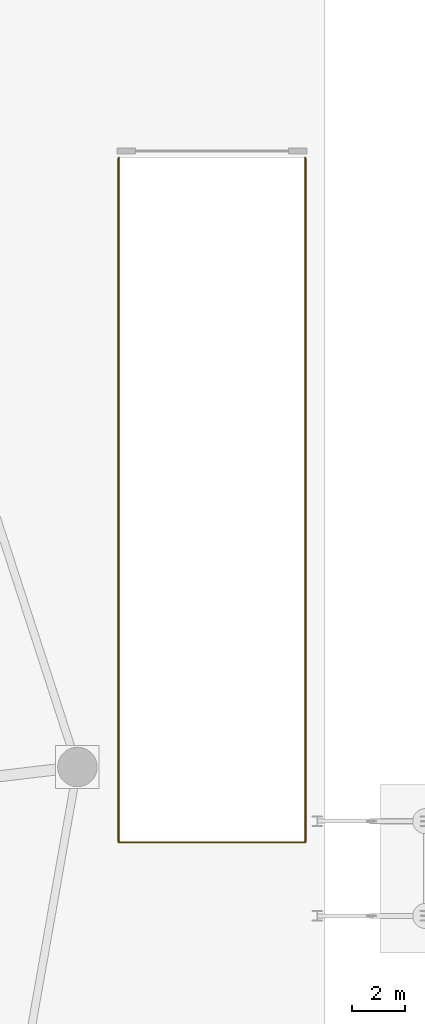
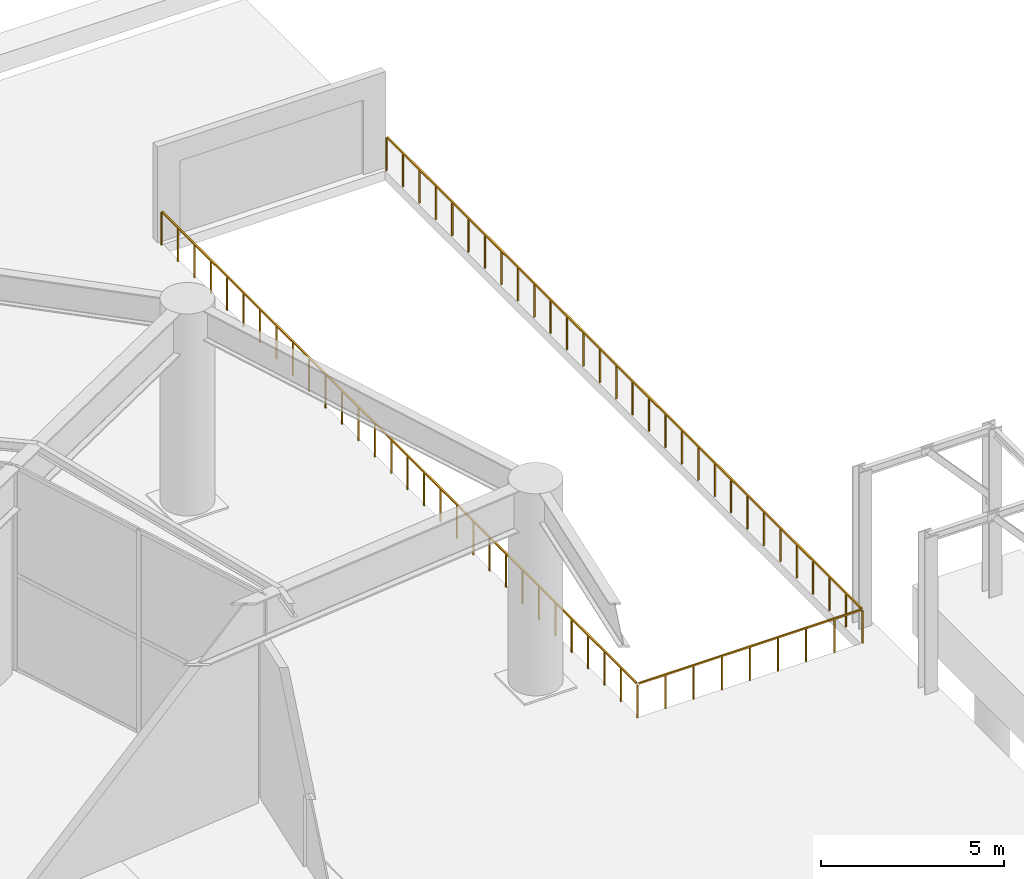
# One storey, part 27 of 28: 3 railings.
"""IFC4 building model written with IfcOpenShell, lengths in metres."""

from ifc_helpers import new_model, si_unit, direction, frame, origin, origin_2d, place, context, subcontext, project, spatial, rectangle, extrude, material, type_object, element, save


model = new_model("IFC4")

# Units and contexts
model_context = context("Model", 3, precision=1e-05, world=origin(), true_north=direction((0.0, 1.0)))
body_context = subcontext(model_context, "Body", "Model", "MODEL_VIEW")
ifc_project = project(units=[si_unit("LENGTHUNIT", "METRE"), si_unit("AREAUNIT", "SQUARE_METRE"), si_unit("VOLUMEUNIT", "CUBIC_METRE"), si_unit("PLANEANGLEUNIT", "RADIAN"), si_unit("MASSUNIT", "GRAM", prefix="KILO")], contexts=[model_context])

# Site, building, storey
site_placement = place(None, origin())
site = spatial("IfcSite", under=ifc_project, at=site_placement, CompositionType="ELEMENT")
building_placement = place(site_placement, origin())
building = spatial("IfcBuilding", under=site, at=building_placement, Name="Kazma Halo Residences", CompositionType="ELEMENT")
storey_placement = place(building_placement, origin())
storey = spatial("IfcBuildingStorey", under=building, at=storey_placement, Name="L00", CompositionType="ELEMENT", Elevation=0.0)

# Railings
ifc_material = material(Name="Brushed Stainless Steel and Laminated Glass", Category="steel")
railing_type = type_object("IfcRailingType", Name="RLG-EXT-GUARD-1150", PredefinedType="GUARDRAIL", material=ifc_material)
railing_1_placement = place(storey_placement, frame((82.14990234375, 43.0, 0.0)))
element("IfcRailing", 1, at=railing_1_placement, inside=storey, type_object=railing_type, Name="L00 vehicle ramp west safety guard", PredefinedType="GUARDRAIL", context=body_context, shape_type="SweptSolid", body=[
    extrude(rectangle(XDim=0.050048828125, YDim=0.050048828125, at=origin_2d()), frame((0.0, 0.04248046875, 1.125), z_axis=(0.0, 1.0, 0.0), x_axis=(-1.0, 0.0, 0.0)), (0.0, 0.0, 1.0), 25.9150390625),
    extrude(rectangle(XDim=0.0400390625, YDim=0.0400390625, at=origin_2d()), origin(), (0.0, 0.0, 1.0), 1.087890625),
    extrude(rectangle(XDim=0.0400390625, YDim=0.0400390625, at=origin_2d()), frame((0.0, 0.896484375, 0.0)), (0.0, 0.0, 1.0), 1.087890625),
    extrude(rectangle(XDim=0.0400390625, YDim=0.0400390625, at=origin_2d()), frame((0.0, 1.793212890625, 0.0)), (0.0, 0.0, 1.0), 1.087890625),
    extrude(rectangle(XDim=0.0400390625, YDim=0.0400390625, at=origin_2d()), frame((0.0, 2.689697265625, 0.0)), (0.0, 0.0, 1.0), 1.087890625),
    extrude(rectangle(XDim=0.0400390625, YDim=0.0400390625, at=origin_2d()), frame((0.0, 3.586181640625, 0.0)), (0.0, 0.0, 1.0), 1.087890625),
    extrude(rectangle(XDim=0.0400390625, YDim=0.0400390625, at=origin_2d()), frame((0.0, 4.482666015625, 0.0)), (0.0, 0.0, 1.0), 1.087890625),
    extrude(rectangle(XDim=0.0400390625, YDim=0.0400390625, at=origin_2d()), frame((0.0, 5.37939453125, 0.0)), (0.0, 0.0, 1.0), 1.087890625),
    extrude(rectangle(XDim=0.0400390625, YDim=0.0400390625, at=origin_2d()), frame((0.0, 6.27587890625, 0.0)), (0.0, 0.0, 1.0), 1.087890625),
    extrude(rectangle(XDim=0.0400390625, YDim=0.0400390625, at=origin_2d()), frame((0.0, 7.17236328125, 0.0)), (0.0, 0.0, 1.0), 1.087890625),
    extrude(rectangle(XDim=0.0400390625, YDim=0.0400390625, at=origin_2d()), frame((0.0, 8.06884765625, 0.0)), (0.0, 0.0, 1.0), 1.087890625),
    extrude(rectangle(XDim=0.0400390625, YDim=0.0400390625, at=origin_2d()), frame((0.0, 8.965576171875, 0.0)), (0.0, 0.0, 1.0), 1.087890625),
    extrude(rectangle(XDim=0.0400390625, YDim=0.0400390625, at=origin_2d()), frame((0.0, 9.862060546875, 0.0)), (0.0, 0.0, 1.0), 1.087890625),
    extrude(rectangle(XDim=0.0400390625, YDim=0.0400390625, at=origin_2d()), frame((0.0, 10.758544921875, 0.0)), (0.0, 0.0, 1.0), 1.087890625),
    extrude(rectangle(XDim=0.0400390625, YDim=0.0400390625, at=origin_2d()), frame((0.0, 11.6552734375, 0.0)), (0.0, 0.0, 1.0), 1.087890625),
    extrude(rectangle(XDim=0.0400390625, YDim=0.0400390625, at=origin_2d()), frame((0.0, 12.5517578125, 0.0)), (0.0, 0.0, 1.0), 1.087890625),
    extrude(rectangle(XDim=0.0400390625, YDim=0.0400390625, at=origin_2d()), frame((0.0, 13.4482421875, 0.0)), (0.0, 0.0, 1.0), 1.087890625),
    extrude(rectangle(XDim=0.0400390625, YDim=0.0400390625, at=origin_2d()), frame((0.0, 14.3447265625, 0.0)), (0.0, 0.0, 1.0), 1.087890625),
    extrude(rectangle(XDim=0.0400390625, YDim=0.0400390625, at=origin_2d()), frame((0.0, 15.241455078125, 0.0)), (0.0, 0.0, 1.0), 1.087890625),
    extrude(rectangle(XDim=0.0400390625, YDim=0.0400390625, at=origin_2d()), frame((0.0, 16.137939453125, 0.0)), (0.0, 0.0, 1.0), 1.087890625),
    extrude(rectangle(XDim=0.0400390625, YDim=0.0400390625, at=origin_2d()), frame((0.0, 17.034423828125, 0.0)), (0.0, 0.0, 1.0), 1.087890625),
    extrude(rectangle(XDim=0.0400390625, YDim=0.0400390625, at=origin_2d()), frame((0.0, 17.93115234375, 0.0)), (0.0, 0.0, 1.0), 1.087890625),
    extrude(rectangle(XDim=0.0400390625, YDim=0.0400390625, at=origin_2d()), frame((0.0, 18.82763671875, 0.0)), (0.0, 0.0, 1.0), 1.087890625),
    extrude(rectangle(XDim=0.0400390625, YDim=0.0400390625, at=origin_2d()), frame((0.0, 19.72412109375, 0.0)), (0.0, 0.0, 1.0), 1.087890625),
    extrude(rectangle(XDim=0.0400390625, YDim=0.0400390625, at=origin_2d()), frame((0.0, 20.62060546875, 0.0)), (0.0, 0.0, 1.0), 1.087890625),
    extrude(rectangle(XDim=0.0400390625, YDim=0.0400390625, at=origin_2d()), frame((0.0, 21.517333984375, 0.0)), (0.0, 0.0, 1.0), 1.087890625),
    extrude(rectangle(XDim=0.0400390625, YDim=0.0400390625, at=origin_2d()), frame((0.0, 22.413818359375, 0.0)), (0.0, 0.0, 1.0), 1.087890625),
    extrude(rectangle(XDim=0.0400390625, YDim=0.0400390625, at=origin_2d()), frame((0.0, 23.310302734375, 0.0)), (0.0, 0.0, 1.0), 1.087890625),
    extrude(rectangle(XDim=0.0400390625, YDim=0.0400390625, at=origin_2d()), frame((0.0, 24.206787109375, 0.0)), (0.0, 0.0, 1.0), 1.087890625),
    extrude(rectangle(XDim=0.0400390625, YDim=0.0400390625, at=origin_2d()), frame((0.0, 25.103515625, 0.0)), (0.0, 0.0, 1.0), 1.087890625),
    extrude(rectangle(XDim=0.0400390625, YDim=0.0400390625, at=origin_2d()), frame((0.0, 26.0, 0.0)), (0.0, 0.0, 1.0), 1.087890625),
])
railing_2_placement = place(storey_placement, frame((89.25, 43.0, 0.0)))
element("IfcRailing", 2, at=railing_2_placement, inside=storey, type_object=railing_type, Name="L00 vehicle ramp east safety guard", PredefinedType="GUARDRAIL", context=body_context, shape_type="SweptSolid", body=[
    extrude(rectangle(XDim=0.050048828125, YDim=0.050048828125, at=origin_2d()), frame((0.0, 0.04248046875, 1.125), z_axis=(0.0, 1.0, 0.0), x_axis=(-1.0, 0.0, 0.0)), (0.0, 0.0, 1.0), 25.9150390625),
    extrude(rectangle(XDim=0.0400390625, YDim=0.0400390625, at=origin_2d()), origin(), (0.0, 0.0, 1.0), 1.087890625),
    extrude(rectangle(XDim=0.0400390625, YDim=0.0400390625, at=origin_2d()), frame((0.0, 0.896484375, 0.0)), (0.0, 0.0, 1.0), 1.087890625),
    extrude(rectangle(XDim=0.0400390625, YDim=0.0400390625, at=origin_2d()), frame((0.0, 1.793212890625, 0.0)), (0.0, 0.0, 1.0), 1.087890625),
    extrude(rectangle(XDim=0.0400390625, YDim=0.0400390625, at=origin_2d()), frame((0.0, 2.689697265625, 0.0)), (0.0, 0.0, 1.0), 1.087890625),
    extrude(rectangle(XDim=0.0400390625, YDim=0.0400390625, at=origin_2d()), frame((0.0, 3.586181640625, 0.0)), (0.0, 0.0, 1.0), 1.087890625),
    extrude(rectangle(XDim=0.0400390625, YDim=0.0400390625, at=origin_2d()), frame((0.0, 4.482666015625, 0.0)), (0.0, 0.0, 1.0), 1.087890625),
    extrude(rectangle(XDim=0.0400390625, YDim=0.0400390625, at=origin_2d()), frame((0.0, 5.37939453125, 0.0)), (0.0, 0.0, 1.0), 1.087890625),
    extrude(rectangle(XDim=0.0400390625, YDim=0.0400390625, at=origin_2d()), frame((0.0, 6.27587890625, 0.0)), (0.0, 0.0, 1.0), 1.087890625),
    extrude(rectangle(XDim=0.0400390625, YDim=0.0400390625, at=origin_2d()), frame((0.0, 7.17236328125, 0.0)), (0.0, 0.0, 1.0), 1.087890625),
    extrude(rectangle(XDim=0.0400390625, YDim=0.0400390625, at=origin_2d()), frame((0.0, 8.06884765625, 0.0)), (0.0, 0.0, 1.0), 1.087890625),
    extrude(rectangle(XDim=0.0400390625, YDim=0.0400390625, at=origin_2d()), frame((0.0, 8.965576171875, 0.0)), (0.0, 0.0, 1.0), 1.087890625),
    extrude(rectangle(XDim=0.0400390625, YDim=0.0400390625, at=origin_2d()), frame((0.0, 9.862060546875, 0.0)), (0.0, 0.0, 1.0), 1.087890625),
    extrude(rectangle(XDim=0.0400390625, YDim=0.0400390625, at=origin_2d()), frame((0.0, 10.758544921875, 0.0)), (0.0, 0.0, 1.0), 1.087890625),
    extrude(rectangle(XDim=0.0400390625, YDim=0.0400390625, at=origin_2d()), frame((0.0, 11.6552734375, 0.0)), (0.0, 0.0, 1.0), 1.087890625),
    extrude(rectangle(XDim=0.0400390625, YDim=0.0400390625, at=origin_2d()), frame((0.0, 12.5517578125, 0.0)), (0.0, 0.0, 1.0), 1.087890625),
    extrude(rectangle(XDim=0.0400390625, YDim=0.0400390625, at=origin_2d()), frame((0.0, 13.4482421875, 0.0)), (0.0, 0.0, 1.0), 1.087890625),
    extrude(rectangle(XDim=0.0400390625, YDim=0.0400390625, at=origin_2d()), frame((0.0, 14.3447265625, 0.0)), (0.0, 0.0, 1.0), 1.087890625),
    extrude(rectangle(XDim=0.0400390625, YDim=0.0400390625, at=origin_2d()), frame((0.0, 15.241455078125, 0.0)), (0.0, 0.0, 1.0), 1.087890625),
    extrude(rectangle(XDim=0.0400390625, YDim=0.0400390625, at=origin_2d()), frame((0.0, 16.137939453125, 0.0)), (0.0, 0.0, 1.0), 1.087890625),
    extrude(rectangle(XDim=0.0400390625, YDim=0.0400390625, at=origin_2d()), frame((0.0, 17.034423828125, 0.0)), (0.0, 0.0, 1.0), 1.087890625),
    extrude(rectangle(XDim=0.0400390625, YDim=0.0400390625, at=origin_2d()), frame((0.0, 17.93115234375, 0.0)), (0.0, 0.0, 1.0), 1.087890625),
    extrude(rectangle(XDim=0.0400390625, YDim=0.0400390625, at=origin_2d()), frame((0.0, 18.82763671875, 0.0)), (0.0, 0.0, 1.0), 1.087890625),
    extrude(rectangle(XDim=0.0400390625, YDim=0.0400390625, at=origin_2d()), frame((0.0, 19.72412109375, 0.0)), (0.0, 0.0, 1.0), 1.087890625),
    extrude(rectangle(XDim=0.0400390625, YDim=0.0400390625, at=origin_2d()), frame((0.0, 20.62060546875, 0.0)), (0.0, 0.0, 1.0), 1.087890625),
    extrude(rectangle(XDim=0.0400390625, YDim=0.0400390625, at=origin_2d()), frame((0.0, 21.517333984375, 0.0)), (0.0, 0.0, 1.0), 1.087890625),
    extrude(rectangle(XDim=0.0400390625, YDim=0.0400390625, at=origin_2d()), frame((0.0, 22.413818359375, 0.0)), (0.0, 0.0, 1.0), 1.087890625),
    extrude(rectangle(XDim=0.0400390625, YDim=0.0400390625, at=origin_2d()), frame((0.0, 23.310302734375, 0.0)), (0.0, 0.0, 1.0), 1.087890625),
    extrude(rectangle(XDim=0.0400390625, YDim=0.0400390625, at=origin_2d()), frame((0.0, 24.206787109375, 0.0)), (0.0, 0.0, 1.0), 1.087890625),
    extrude(rectangle(XDim=0.0400390625, YDim=0.0400390625, at=origin_2d()), frame((0.0, 25.103515625, 0.0)), (0.0, 0.0, 1.0), 1.087890625),
    extrude(rectangle(XDim=0.0400390625, YDim=0.0400390625, at=origin_2d()), frame((0.0, 26.0, 0.0)), (0.0, 0.0, 1.0), 1.087890625),
])
railing_3_placement = place(storey_placement, frame((82.14990234375, 43.0, 0.0)))
element("IfcRailing", 3, at=railing_3_placement, inside=storey, type_object=railing_type, Name="L00 vehicle ramp south head guard", PredefinedType="GUARDRAIL", context=body_context, shape_type="SweptSolid", body=[
    extrude(rectangle(XDim=0.050048828125, YDim=0.050048828125, at=origin_2d()), frame((0.04248046875, 0.0, 1.125), z_axis=(1.0, 0.0, 0.0), x_axis=(0.0, 1.0, 0.0)), (0.0, 0.0, 1.0), 7.01513671875),
    extrude(rectangle(XDim=0.0400390625, YDim=0.0400390625, at=origin_2d()), origin(), (0.0, 0.0, 1.0), 1.087890625),
    extrude(rectangle(XDim=0.0400390625, YDim=0.0400390625, at=origin_2d()), frame((0.887451171875, 0.0, 0.0)), (0.0, 0.0, 1.0), 1.087890625),
    extrude(rectangle(XDim=0.0400390625, YDim=0.0400390625, at=origin_2d()), frame((1.77490234375, 0.0, 0.0)), (0.0, 0.0, 1.0), 1.087890625),
    extrude(rectangle(XDim=0.0400390625, YDim=0.0400390625, at=origin_2d()), frame((2.66259765625, 0.0, 0.0)), (0.0, 0.0, 1.0), 1.087890625),
    extrude(rectangle(XDim=0.0400390625, YDim=0.0400390625, at=origin_2d()), frame((3.550048828125, 0.0, 0.0)), (0.0, 0.0, 1.0), 1.087890625),
    extrude(rectangle(XDim=0.0400390625, YDim=0.0400390625, at=origin_2d()), frame((4.4375, 0.0, 0.0)), (0.0, 0.0, 1.0), 1.087890625),
    extrude(rectangle(XDim=0.0400390625, YDim=0.0400390625, at=origin_2d()), frame((5.3251953125, 0.0, 0.0)), (0.0, 0.0, 1.0), 1.087890625),
    extrude(rectangle(XDim=0.0400390625, YDim=0.0400390625, at=origin_2d()), frame((6.212646484375, 0.0, 0.0)), (0.0, 0.0, 1.0), 1.087890625),
    extrude(rectangle(XDim=0.0400390625, YDim=0.0400390625, at=origin_2d()), frame((7.10009765625, 0.0, 0.0)), (0.0, 0.0, 1.0), 1.087890625),
])

save(model, "model.ifc")
